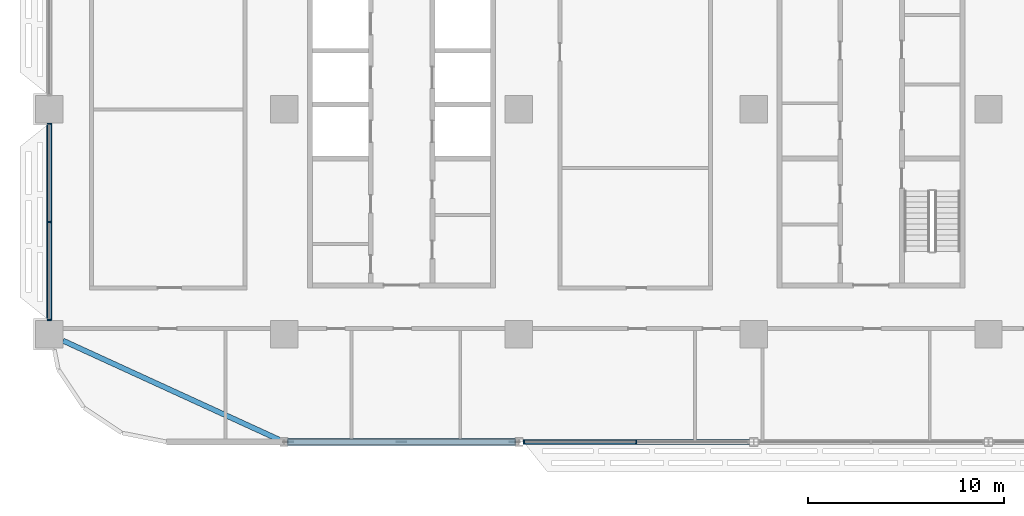
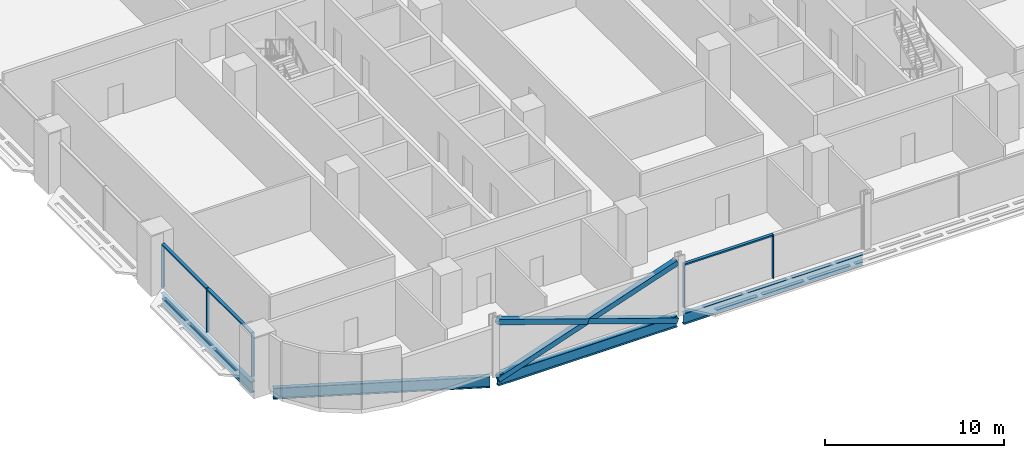
# One storey, part 3 of 29: 11 members, 4 beams, 2 elements without a shape of their own.
"""IFC4 building model written with IfcOpenShell, lengths in metres."""

from ifc_helpers import new_model, si_unit, direction, frame, origin, origin_2d, place, context, subcontext, project, spatial, rectangle, hollow_rectangle, i_section, extrude, material, material_profile, profile_set, type_object, element, aggregate, save


model = new_model("IFC4")

# Units and contexts
model_context = context("Model", 3, precision=1e-05, world=origin(), true_north=direction((0.0, 1.0)))
body_context = subcontext(model_context, "Body", "Model", "MODEL_VIEW")
ifc_project = project(units=[si_unit("LENGTHUNIT", "METRE"), si_unit("AREAUNIT", "SQUARE_METRE"), si_unit("VOLUMEUNIT", "CUBIC_METRE"), si_unit("PLANEANGLEUNIT", "RADIAN"), si_unit("MASSUNIT", "GRAM", prefix="KILO")], contexts=[model_context])

# Site, building, storey
site_placement = place(None, origin())
site = spatial("IfcSite", under=ifc_project, at=site_placement, CompositionType="ELEMENT")
building_placement = place(site_placement, origin())
building = spatial("IfcBuilding", under=site, at=building_placement, Name="Mahtab Terrace Research Tower", CompositionType="ELEMENT")
storey_placement = place(building_placement, frame((0.0, 0.0, 93.0)))
storey = spatial("IfcBuildingStorey", under=building, at=storey_placement, Name="L21", CompositionType="ELEMENT", Elevation=93.0)

# Members
ifc_material_1 = material(Name="Steel ASTM A500 Gr C", Category="steel")
ifc_material_profile_1 = material_profile(ifc_material_1, hollow_rectangle(XDim=0.355712890625, YDim=0.355712890625, WallThickness=0.01904296875, at=origin_2d()), Name="HSS14X14X3/4")
ifc_profile_set_1 = profile_set([ifc_material_profile_1], Name="Steel ASTM A500 Gr C")
member_type_1 = type_object("IfcMemberType", Name="HSS 14x14x3/4 brace XB141434", PredefinedType="BRACE", material=ifc_profile_set_1)
member_1_placement = place(storey_placement, frame((-29.79052734375, -17.0, -0.64697265625), z_axis=(0.946286750388, 0.0, 0.323328603809), x_axis=(0.0, 1.0, 0.0)))
element("IfcMember", 1, at=member_1_placement, inside=storey, type_object=member_type_1, Name="Exoskeleton brace L21 13 a", PredefinedType="BRACE", context=body_context, shape_type="SweptSolid", body=[
    extrude(hollow_rectangle(XDim=0.355712890625, YDim=0.355712890625, WallThickness=0.01904296875, at=origin_2d()), origin(), (0.0, 0.0, 1.0), 12.238525390625),
])
for number, where, z_axis, x_axis, name in (
    (2, (-18.20947265625, -17.0, -0.64697265625), (-0.946286750388, 0.0, 0.323328603809), (0.0, -1.0, 0.0), "Exoskeleton brace L21 13 b1"),
    (3, (-24.0, -17.0, 1.33154296875), (-0.946286750388, 0.0, 0.323328603809), (0.0, -1.0, 0.0), "Exoskeleton brace L21 13 b2"),
):
    element("IfcMember", number, at=place(storey_placement, frame(where, z_axis=z_axis, x_axis=x_axis)), inside=storey, type_object=member_type_1, Name=name, PredefinedType="BRACE", context=body_context, shape_type="SweptSolid", body=[
        extrude(hollow_rectangle(XDim=0.355712890625, YDim=0.355712890625, WallThickness=0.01904296875, at=origin_2d()), origin(), (0.0, 0.0, 1.0), 6.119140625),
    ])

# Curtain wall, members
ifc_material_2 = material(Name="Laboratory ribbon curtain wall")
curtain_wall_type = type_object("IfcCurtainWallType", Name="Laboratory ribbon curtain wall", PredefinedType="NOTDEFINED", material=ifc_material_2)
curtain_wall_1_placement = place(storey_placement, origin())
curtain_wall_1 = element("IfcCurtainWall", 4, at=curtain_wall_1_placement, inside=storey, type_object=curtain_wall_type, Name="EN.L21.8.18", PredefinedType="NOTDEFINED")
ifc_material_3 = material(Name="Natural anodised aluminium", Category="aluminium")
ifc_material_profile_2 = material_profile(ifc_material_3, rectangle(XDim=0.199951171875, YDim=0.06494140625, at=origin_2d()), Name="MULLION 65x200")
ifc_profile_set_2 = profile_set([ifc_material_profile_2], Name="Natural anodised aluminium")
member_type_2 = type_object("IfcMemberType", Name="Laboratory ribbon curtain wall mullion", PredefinedType="MULLION", material=ifc_profile_set_2)
member_2_placement = place(storey_placement, frame((-42.0, -0.732421875, 0.0), z_axis=(0.0, 0.0, 1.0), x_axis=(1.0, 0.0, 0.0)))
member_2 = element("IfcMember", 5, at=member_2_placement, type_object=member_type_2, Name="CWL-3 mullion 1", PredefinedType="MULLION", context=body_context, shape_type="SweptSolid", body=[
    extrude(rectangle(XDim=0.199951171875, YDim=0.06494140625, at=origin_2d()), origin(), (0.0, 0.0, 1.0), 3.003173828125),
])
member_3_placement = place(storey_placement, frame((-42.0, -5.75, 0.0), z_axis=(0.0, 0.0, 1.0), x_axis=(1.0, 0.0, 0.0)))
member_3 = element("IfcMember", 6, at=member_3_placement, type_object=member_type_2, Name="CWL-3 mullion 2", PredefinedType="MULLION", context=body_context, shape_type="SweptSolid", body=[
    extrude(rectangle(XDim=0.199951171875, YDim=0.06494140625, at=origin_2d()), origin(), (0.0, 0.0, 1.0), 3.003173828125),
])
member_4_placement = place(storey_placement, frame((-42.0, -10.767578125, 0.0), z_axis=(0.0, 0.0, 1.0), x_axis=(1.0, 0.0, 0.0)))
member_4 = element("IfcMember", 7, at=member_4_placement, type_object=member_type_2, Name="CWL-3 mullion 3", PredefinedType="MULLION", context=body_context, shape_type="SweptSolid", body=[
    extrude(rectangle(XDim=0.199951171875, YDim=0.06494140625, at=origin_2d()), origin(), (0.0, 0.0, 1.0), 3.003173828125),
])

curtain_wall_2_placement = place(storey_placement, origin())
curtain_wall_2 = element("IfcCurtainWall", 8, at=curtain_wall_2_placement, inside=storey, type_object=curtain_wall_type, Name="EN.L21.13.25", PredefinedType="NOTDEFINED")
member_5_placement = place(storey_placement, frame((-17.739501953125, -17.0, 0.0), z_axis=(0.0, 0.0, 1.0), x_axis=(0.0, 1.0, 0.0)))
member_5 = element("IfcMember", 9, at=member_5_placement, type_object=member_type_2, Name="CWL-3 mullion 1", PredefinedType="MULLION", context=body_context, shape_type="SweptSolid", body=[
    extrude(rectangle(XDim=0.199951171875, YDim=0.06494140625, at=origin_2d()), origin(), (0.0, 0.0, 1.0), 3.003173828125),
])
member_6_placement = place(storey_placement, frame((-12.0, -17.0, 0.0), z_axis=(0.0, 0.0, 1.0), x_axis=(0.0, 1.0, 0.0)))
member_6 = element("IfcMember", 10, at=member_6_placement, type_object=member_type_2, Name="CWL-3 mullion 2", PredefinedType="MULLION", context=body_context, shape_type="SweptSolid", body=[
    extrude(rectangle(XDim=0.199951171875, YDim=0.06494140625, at=origin_2d()), origin(), (0.0, 0.0, 1.0), 3.003173828125),
])

# Member
ifc_material_profile_3 = material_profile(ifc_material_3, rectangle(XDim=0.199951171875, YDim=0.10009765625, at=origin_2d()), Name="TRANSOM 100x200")
ifc_profile_set_3 = profile_set([ifc_material_profile_3], Name="Natural anodised aluminium")
member_type_3 = type_object("IfcMemberType", Name="Laboratory ribbon curtain wall transom", PredefinedType="USERDEFINED", material=ifc_profile_set_3)
member_7_placement = place(storey_placement, frame((-42.0, -0.764892578125, 2.953125), z_axis=(0.0, -1.0, 0.0), x_axis=(1.0, 0.0, 0.0)))
member_7 = element("IfcMember", 11, at=member_7_placement, type_object=member_type_3, Name="CWL-3 transom 1", ObjectType="TRANSOM", PredefinedType="USERDEFINED", context=body_context, shape_type="SweptSolid", body=[
    extrude(rectangle(XDim=0.199951171875, YDim=0.10009765625, at=origin_2d()), origin(), (0.0, 0.0, 1.0), 4.95263671875),
])

member_8_placement = place(storey_placement, frame((-42.0, -5.782470703125, 2.953125), z_axis=(0.0, -1.0, 0.0), x_axis=(1.0, 0.0, 0.0)))
member_8 = element("IfcMember", 12, at=member_8_placement, type_object=member_type_3, Name="CWL-3 transom 2", ObjectType="TRANSOM", PredefinedType="USERDEFINED", context=body_context, shape_type="SweptSolid", body=[
    extrude(rectangle(XDim=0.199951171875, YDim=0.10009765625, at=origin_2d()), origin(), (0.0, 0.0, 1.0), 4.95263671875),
])

aggregate(curtain_wall_1, [member_2, member_3, member_4, member_7, member_8])

member_9_placement = place(storey_placement, frame((-17.70703125, -17.0, 2.953125), z_axis=(1.0, 0.0, 0.0), x_axis=(0.0, 1.0, 0.0)))
member_9 = element("IfcMember", 13, at=member_9_placement, type_object=member_type_3, Name="CWL-3 transom 1", ObjectType="TRANSOM", PredefinedType="USERDEFINED", context=body_context, shape_type="SweptSolid", body=[
    extrude(rectangle(XDim=0.199951171875, YDim=0.10009765625, at=origin_2d()), origin(), (0.0, 0.0, 1.0), 5.674560546875),
])

aggregate(curtain_wall_2, [member_5, member_6, member_9])

# Beams
ifc_material_4 = material(Name="Steel ASTM A992 Gr 50", Category="steel")
ifc_material_profile_4 = material_profile(ifc_material_4, i_section(OverallWidth=0.2666015625, OverallDepth=0.7568359375, WebThickness=0.013916015625, FlangeThickness=0.019287109375, at=origin_2d()), Name="W30X108")
ifc_profile_set_4 = profile_set([ifc_material_profile_4], Name="Steel ASTM A992 Gr 50")
beam_type = type_object("IfcBeamType", Name="W30x108 beam BS30108", PredefinedType="BEAM", material=ifc_profile_set_4)
beam_1_placement = place(storey_placement, frame((-42.0, -0.699951171875, -0.718505859375), z_axis=(0.0, -1.0, 0.0), x_axis=(1.0, 0.0, 0.0)))
element("IfcBeam", 14, at=beam_1_placement, inside=storey, type_object=beam_type, Name="Spandrel beam L21 11", PredefinedType="BEAM", context=body_context, shape_type="SweptSolid", body=[
    extrude(i_section(OverallWidth=0.2666015625, OverallDepth=0.7568359375, WebThickness=0.013916015625, FlangeThickness=0.019287109375, at=origin_2d()), origin(), (0.0, 0.0, 1.0), 10.10009765625),
])
beam_2_placement = place(storey_placement, frame((-41.300048828125, -11.82080078125, -0.718505859375), z_axis=(0.909062612141, -0.41665953392, 0.0), x_axis=(0.41665953392, 0.909062612141, 0.0)))
element("IfcBeam", 15, at=beam_2_placement, inside=storey, type_object=beam_type, Name="Spandrel beam L21 12", PredefinedType="BEAM", context=body_context, shape_type="SweptSolid", body=[
    extrude(i_section(OverallWidth=0.2666015625, OverallDepth=0.7568359375, WebThickness=0.013916015625, FlangeThickness=0.019287109375, at=origin_2d()), origin(), (0.0, 0.0, 1.0), 12.199951171875),
])
for number, where, z_axis, x_axis, name in (
    (16, (-29.79052734375, -17.0, -0.718505859375), (1.0, 0.0, 0.0), (0.0, 1.0, 0.0), "Spandrel beam L21 13"),
    (17, (-17.79052734375, -17.0, -0.718505859375), (1.0, 0.0, 0.0), (0.0, 1.0, 0.0), "Spandrel beam L21 14"),
):
    element("IfcBeam", number, at=place(storey_placement, frame(where, z_axis=z_axis, x_axis=x_axis)), inside=storey, type_object=beam_type, Name=name, PredefinedType="BEAM", context=body_context, shape_type="SweptSolid", body=[
        extrude(i_section(OverallWidth=0.2666015625, OverallDepth=0.7568359375, WebThickness=0.013916015625, FlangeThickness=0.019287109375, at=origin_2d()), origin(), (0.0, 0.0, 1.0), 11.5810546875),
    ])

save(model, "model.ifc")
